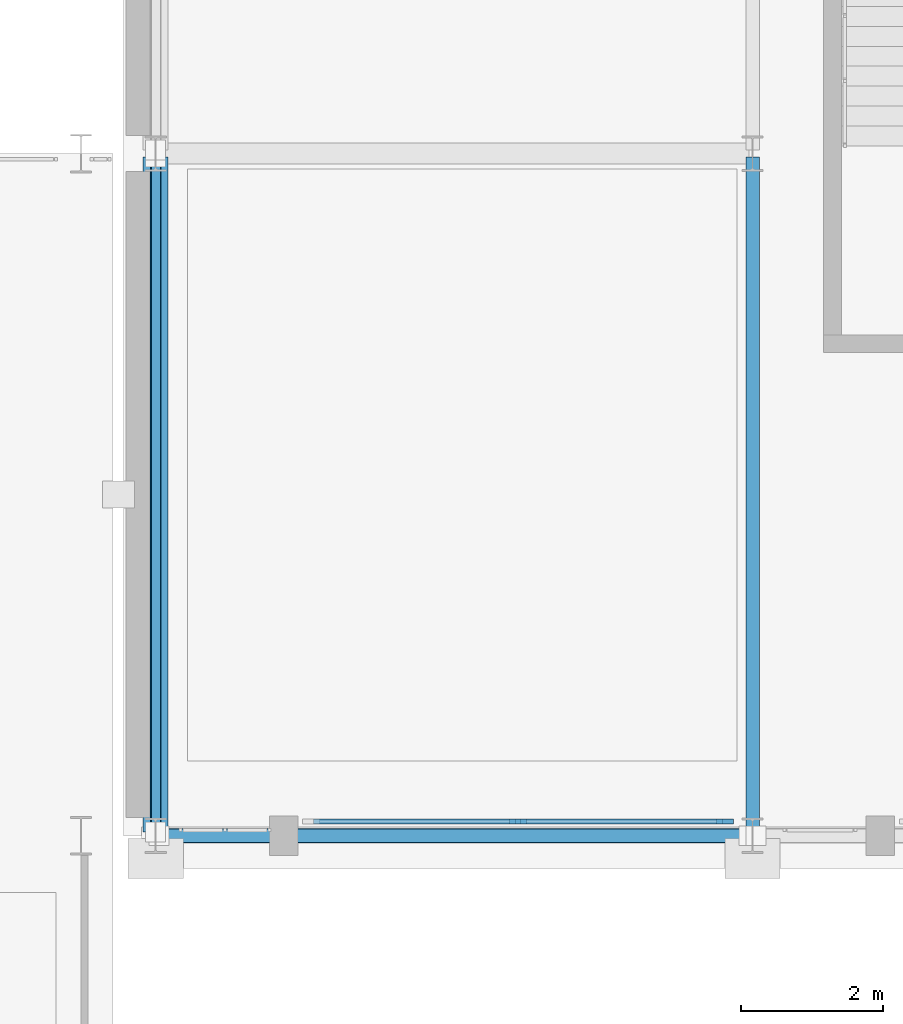
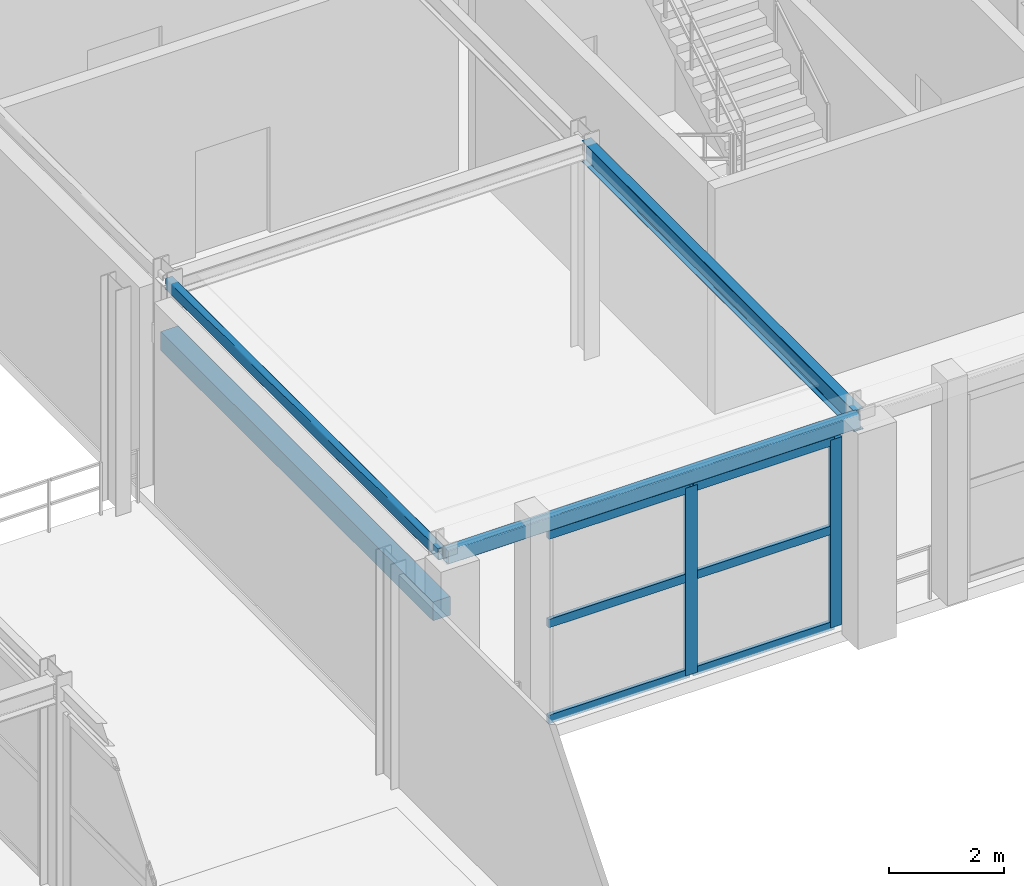
# One storey, part 50 of 125: 8 members, 4 beams, 1 element without a shape of its own.
"""IFC4 building model written with IfcOpenShell, lengths in metres."""

from ifc_helpers import new_model, si_unit, direction, frame, origin, origin_2d, place, context, subcontext, project, spatial, rectangle, hollow_rectangle, i_section, extrude, material, layer, layer_set, material_profile, profile_set, type_object, element, aggregate, save


model = new_model("IFC4")

# Units and contexts
model_context = context("Model", 3, precision=1e-05, world=origin(), true_north=direction((0.0, 1.0)))
body_context = subcontext(model_context, "Body", "Model", "MODEL_VIEW")
ifc_project = project(units=[si_unit("LENGTHUNIT", "METRE"), si_unit("AREAUNIT", "SQUARE_METRE"), si_unit("VOLUMEUNIT", "CUBIC_METRE"), si_unit("PLANEANGLEUNIT", "RADIAN"), si_unit("MASSUNIT", "GRAM", prefix="KILO")], contexts=[model_context])

# Site, building, storey
site_placement = place(None, origin())
site = spatial("IfcSite", under=ifc_project, at=site_placement, CompositionType="ELEMENT")
building_placement = place(site_placement, origin())
building = spatial("IfcBuilding", under=site, at=building_placement, Name="Myrtia Square Station", CompositionType="ELEMENT")
storey_placement = place(building_placement, frame((0.0, 0.0, 6.0)))
storey = spatial("IfcBuildingStorey", under=building, at=storey_placement, Name="L01", CompositionType="ELEMENT", Elevation=6.0)

# Beam
ifc_material_1 = material(Name="Steel S355", Category="steel")
ifc_material_profile_1 = material_profile(ifc_material_1, i_section(OverallWidth=0.18994140625, OverallDepth=0.449951171875, WebThickness=0.009521484375, FlangeThickness=0.0146484375, FilletRadius=0.02099609375, at=origin_2d()), Name="IPE 450")
ifc_profile_set_1 = profile_set([ifc_material_profile_1], Name="Steel S355")
beam_type_1 = type_object("IfcBeamType", Name="BM-IPE450", PredefinedType="BEAM", material=ifc_profile_set_1)
beam_1_placement = place(storey_placement, frame((126.0, 86.449951171875, 4.324951171875), z_axis=(0.0, 1.0, 0.0), x_axis=(-1.0, 0.0, 0.0)))
element("IfcBeam", 1, at=beam_1_placement, inside=storey, type_object=beam_type_1, Name="Structural girder BMY-L01-0664", PredefinedType="BEAM", context=body_context, shape_type="SweptSolid", body=[
    extrude(i_section(OverallWidth=0.18994140625, OverallDepth=0.449951171875, WebThickness=0.009521484375, FlangeThickness=0.0146484375, FilletRadius=0.02099609375, at=origin_2d()), origin(), (0.0, 0.0, 1.0), 9.5),
])

# Curtain wall, members
ifc_material_2 = material(Name="Dark bronze anodised aluminium", Category="aluminium")
ifc_layer = layer(ifc_material_2, 0.159912109375, Name="Dark bronze anodised aluminium")
ifc_layer_set = layer_set([ifc_layer], Name="Dark bronze anodised aluminium")
curtain_wall_type = type_object("IfcCurtainWallType", Name="CW-TYPE-37-590x400", PredefinedType="USERDEFINED", material=ifc_layer_set)
curtain_wall_placement = place(storey_placement, origin())
curtain_wall = element("IfcCurtainWall", 2, at=curtain_wall_placement, inside=storey, type_object=curtain_wall_type, Name="Concourse curtain wall CW-L01-116", ObjectType="CONCOURSE CURTAIN WALL", PredefinedType="USERDEFINED")
ifc_material_profile_2 = material_profile(ifc_material_2, rectangle(XDim=0.074951171875, YDim=0.239990234375, at=origin_2d()), Name="ALU-M 75x240")
ifc_profile_set_2 = profile_set([ifc_material_profile_2], Name="Dark bronze anodised aluminium")
member_type_1 = type_object("IfcMemberType", Name="CWM-75x240", PredefinedType="MULLION", material=ifc_profile_set_2)
member_1_placement = place(storey_placement, frame((122.699951171875, 86.60009765625, 0.0), z_axis=(0.0, 0.0, 1.0), x_axis=(0.0, 1.0, 0.0)))
member_1 = element("IfcMember", 3, at=member_1_placement, type_object=member_type_1, Name="CW-116 mullion 2", PredefinedType="MULLION", context=body_context, shape_type="SweptSolid", body=[
    extrude(rectangle(XDim=0.074951171875, YDim=0.239990234375, at=origin_2d()), origin(), (0.0, 0.0, 1.0), 4.0),
])
member_2_placement = place(storey_placement, frame((125.612548828125, 86.60009765625, 0.0), z_axis=(0.0, 0.0, 1.0), x_axis=(0.0, 1.0, 0.0)))
member_2 = element("IfcMember", 4, at=member_2_placement, type_object=member_type_1, Name="CW-116 mullion 3", PredefinedType="MULLION", context=body_context, shape_type="SweptSolid", body=[
    extrude(rectangle(XDim=0.074951171875, YDim=0.239990234375, at=origin_2d()), origin(), (0.0, 0.0, 1.0), 4.0),
])
ifc_material_profile_3 = material_profile(ifc_material_2, rectangle(XDim=0.074951171875, YDim=0.179931640625, at=origin_2d()), Name="ALU-T 75x180")
ifc_profile_set_3 = profile_set([ifc_material_profile_3], Name="Dark bronze anodised aluminium")
member_type_2 = type_object("IfcMemberType", Name="CWT-75x180", PredefinedType="USERDEFINED", material=ifc_profile_set_3)
member_3_placement = place(storey_placement, frame((119.824951171875, 86.60009765625, 0.03759765625), z_axis=(1.0, 0.0, 0.0), x_axis=(0.0, 1.0, 0.0)))
member_3 = element("IfcMember", 5, at=member_3_placement, type_object=member_type_2, Name="CW-116 transom 1.1", ObjectType="TRANSOM", PredefinedType="USERDEFINED", context=body_context, shape_type="SweptSolid", body=[
    extrude(rectangle(XDim=0.074951171875, YDim=0.179931640625, at=origin_2d()), origin(), (0.0, 0.0, 1.0), 2.837646484375),
])
member_4_placement = place(storey_placement, frame((119.824951171875, 86.60009765625, 2.080078125), z_axis=(1.0, 0.0, 0.0), x_axis=(0.0, 1.0, 0.0)))
member_4 = element("IfcMember", 6, at=member_4_placement, type_object=member_type_2, Name="CW-116 transom 1.2", ObjectType="TRANSOM", PredefinedType="USERDEFINED", context=body_context, shape_type="SweptSolid", body=[
    extrude(rectangle(XDim=0.074951171875, YDim=0.179931640625, at=origin_2d()), origin(), (0.0, 0.0, 1.0), 2.837646484375),
])
member_5_placement = place(storey_placement, frame((119.824951171875, 86.60009765625, 3.96240234375), z_axis=(1.0, 0.0, 0.0), x_axis=(0.0, 1.0, 0.0)))
member_5 = element("IfcMember", 7, at=member_5_placement, type_object=member_type_2, Name="CW-116 transom 1.3", ObjectType="TRANSOM", PredefinedType="USERDEFINED", context=body_context, shape_type="SweptSolid", body=[
    extrude(rectangle(XDim=0.074951171875, YDim=0.179931640625, at=origin_2d()), origin(), (0.0, 0.0, 1.0), 2.837646484375),
])
member_6_placement = place(storey_placement, frame((122.737548828125, 86.60009765625, 0.03759765625), z_axis=(1.0, 0.0, 0.0), x_axis=(0.0, 1.0, 0.0)))
member_6 = element("IfcMember", 8, at=member_6_placement, type_object=member_type_2, Name="CW-116 transom 2.1", ObjectType="TRANSOM", PredefinedType="USERDEFINED", context=body_context, shape_type="SweptSolid", body=[
    extrude(rectangle(XDim=0.074951171875, YDim=0.179931640625, at=origin_2d()), origin(), (0.0, 0.0, 1.0), 2.83740234375),
])
member_7_placement = place(storey_placement, frame((122.737548828125, 86.60009765625, 2.080078125), z_axis=(1.0, 0.0, 0.0), x_axis=(0.0, 1.0, 0.0)))
member_7 = element("IfcMember", 9, at=member_7_placement, type_object=member_type_2, Name="CW-116 transom 2.2", ObjectType="TRANSOM", PredefinedType="USERDEFINED", context=body_context, shape_type="SweptSolid", body=[
    extrude(rectangle(XDim=0.074951171875, YDim=0.179931640625, at=origin_2d()), origin(), (0.0, 0.0, 1.0), 2.83740234375),
])
member_8_placement = place(storey_placement, frame((122.737548828125, 86.60009765625, 3.96240234375), z_axis=(1.0, 0.0, 0.0), x_axis=(0.0, 1.0, 0.0)))
member_8 = element("IfcMember", 10, at=member_8_placement, type_object=member_type_2, Name="CW-116 transom 2.3", ObjectType="TRANSOM", PredefinedType="USERDEFINED", context=body_context, shape_type="SweptSolid", body=[
    extrude(rectangle(XDim=0.074951171875, YDim=0.179931640625, at=origin_2d()), origin(), (0.0, 0.0, 1.0), 2.83740234375),
])
aggregate(curtain_wall, [member_1, member_2, member_3, member_4, member_5, member_6, member_7, member_8])

# Beams
ifc_material_3 = material(Name="Concrete C35/45", Category="concrete")
ifc_material_profile_4 = material_profile(ifc_material_3, rectangle(XDim=0.35009765625, YDim=0.39990234375, at=origin_2d()), Name="LNT 350x400")
ifc_profile_set_4 = profile_set([ifc_material_profile_4], Name="Concrete C35/45")
beam_type_2 = type_object("IfcBeamType", Name="LNT-RC350x400", PredefinedType="LINTEL", material=ifc_profile_set_4)
beam_2_placement = place(storey_placement, frame((117.60009765625, 86.449951171875, 3.25), z_axis=(0.0, 1.0, 0.0), x_axis=(-1.0, 0.0, 0.0)))
element("IfcBeam", 11, at=beam_2_placement, inside=storey, type_object=beam_type_2, Name="Reinforced concrete opening lintel L01-07", PredefinedType="LINTEL", context=body_context, shape_type="SweptSolid", body=[
    extrude(rectangle(XDim=0.35009765625, YDim=0.39990234375, at=origin_2d()), origin(), (0.0, 0.0, 1.0), 9.5),
])
ifc_material_profile_5 = material_profile(ifc_material_1, hollow_rectangle(XDim=0.14990234375, YDim=0.25, WallThickness=0.012451171875, InnerFilletRadius=0.012451171875, OuterFilletRadius=0.02490234375, at=origin_2d()), Name="RHS 250x150x12.5")
ifc_profile_set_5 = profile_set([ifc_material_profile_5], Name="Steel S355")
beam_type_3 = type_object("IfcBeamType", Name="SPN-RHS250", PredefinedType="SPANDREL", material=ifc_profile_set_5)
beam_3_placement = place(storey_placement, frame((117.60009765625, 86.449951171875, 4.425048828125), z_axis=(0.0, 1.0, 0.0), x_axis=(-1.0, 0.0, 0.0)))
element("IfcBeam", 12, at=beam_3_placement, inside=storey, type_object=beam_type_3, Name="Structural girder SPNY-L01-0188", PredefinedType="SPANDREL", context=body_context, shape_type="SweptSolid", body=[
    extrude(hollow_rectangle(XDim=0.14990234375, YDim=0.25, WallThickness=0.012451171875, InnerFilletRadius=0.012451171875, OuterFilletRadius=0.02490234375, at=origin_2d()), origin(), (0.0, 0.0, 1.0), 9.5),
])
ifc_material_profile_6 = material_profile(ifc_material_1, hollow_rectangle(XDim=0.199951171875, YDim=0.300048828125, WallThickness=0.01611328125, InnerFilletRadius=0.01611328125, OuterFilletRadius=0.031982421875, at=origin_2d()), Name="RHS 300x200x16")
ifc_profile_set_6 = profile_set([ifc_material_profile_6], Name="Steel S355")
beam_type_4 = type_object("IfcBeamType", Name="SPN-RHS300", PredefinedType="SPANDREL", material=ifc_profile_set_6)
beam_4_placement = place(storey_placement, frame((117.64990234375, 86.39990234375, 4.39990234375), z_axis=(1.0, 0.0, 0.0), x_axis=(0.0, 1.0, 0.0)))
element("IfcBeam", 13, at=beam_4_placement, inside=storey, type_object=beam_type_4, Name="Structural girder SPN-L01-0172", PredefinedType="SPANDREL", context=body_context, shape_type="SweptSolid", body=[
    extrude(hollow_rectangle(XDim=0.199951171875, YDim=0.300048828125, WallThickness=0.01611328125, InnerFilletRadius=0.01611328125, OuterFilletRadius=0.031982421875, at=origin_2d()), origin(), (0.0, 0.0, 1.0), 8.300048828125),
])

save(model, "model.ifc")
